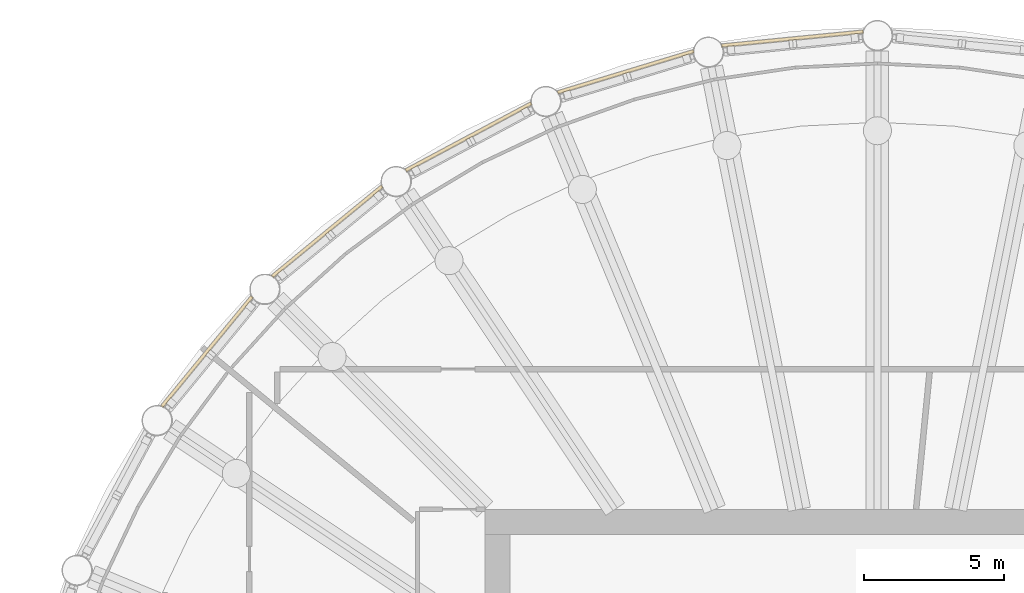
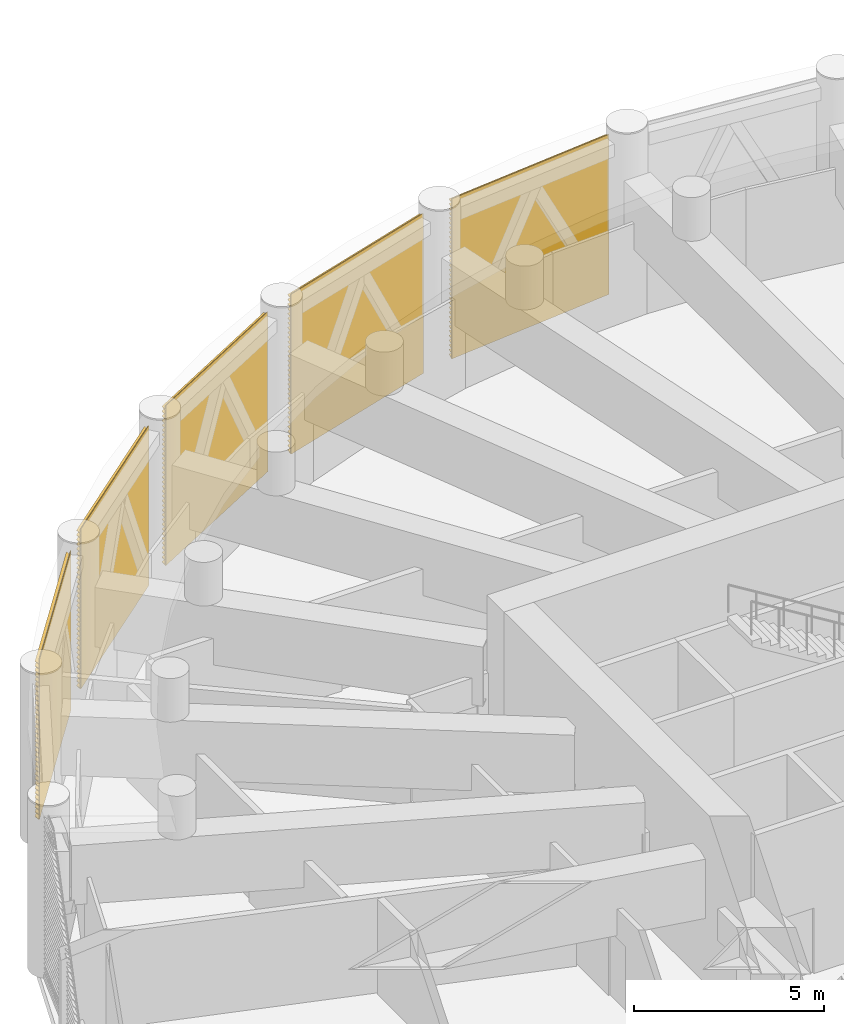
# One storey, part 21 of 23: 5 shading devices, 5 elements without a shape of their own.
"""IFC4 building model written with IfcOpenShell, lengths in metres."""

import ifcopenshell
import ifcopenshell.guid

model = None  # the IFC model being written
_history = None  # IfcOwnerHistory: only IFC2X3 demands one
_inside = {}  # id of a spatial element -> (the spatial element, [elements in it])
_under = {}  # id of a project, library or spatial element -> (it, [spatial elements below it])
_declared = {}  # id of a project -> (the project, [libraries it declares])
_typed = {}  # id of a type object -> (the type object, [elements of that type])
_made_of = {}  # id of a material, layer set ... -> (it, [elements and type objects made of it])


def new_model(schema):
    """Start an empty IFC model of exactly this schema.

    Asked for "IFC4X3", IfcOpenShell would pick the latest addendum, in which some entities
    have other attributes; the version numbers below select the first issue.
    IFC2X3 requires an IfcOwnerHistory on every rooted entity: one is made here for all.
    """
    global model, _history
    if schema == "IFC4X3":
        model = ifcopenshell.file(schema_version=(4, 3, 0, 0))
    else:
        model = ifcopenshell.file(schema=schema)
    _inside.clear()
    _under.clear()
    _declared.clear()
    _typed.clear()
    _made_of.clear()
    _history = None
    if model.schema == "IFC2X3":
        org = make("IfcOrganization", Name="unknown")
        user = make(
            "IfcPersonAndOrganization",
            ThePerson=make("IfcPerson", FamilyName="unknown"),
            TheOrganization=org,
        )
        app = make(
            "IfcApplication",
            ApplicationDeveloper=org,
            Version="unknown",
            ApplicationFullName="unknown",
            ApplicationIdentifier="unknown",
        )
        _history = make(
            "IfcOwnerHistory",
            OwningUser=user,
            OwningApplication=app,
            ChangeAction="ADDED",
            CreationDate=0,
        )
    return model


def make(cls, **values):
    """One entity of the class cls with the attributes given. An attribute that is None is left unset."""
    return model.create_entity(
        cls, **{name: value for name, value in values.items() if value is not None}
    )


def rooted(cls, **values):
    """An entity with a GlobalId (a new one), such as an element, a storey or a relation."""
    return make(cls, GlobalId=ifcopenshell.guid.new(), OwnerHistory=_history, **values)


def si_unit(unit_type, name, prefix=None):
    """IfcSIUnit, for example si_unit("LENGTHUNIT", "METRE", prefix="MILLI")."""
    return make("IfcSIUnit", UnitType=unit_type, Prefix=prefix, Name=name)


def assignment(units):
    """IfcUnitAssignment: the units of a project."""
    return None if units is None else make("IfcUnitAssignment", Units=units)


def point(xyz):
    """IfcCartesianPoint."""
    return None if xyz is None else make("IfcCartesianPoint", Coordinates=xyz)


def direction(xyz):
    """IfcDirection."""
    return None if xyz is None else make("IfcDirection", DirectionRatios=xyz)


def frame(location, z_axis=None, x_axis=None):
    """IfcAxis2Placement3D, a coordinate frame: its origin and axes. An axis left out is left unset."""
    return make(
        "IfcAxis2Placement3D",
        Location=point(location),
        Axis=direction(z_axis),
        RefDirection=direction(x_axis),
    )


def origin():
    """The frame at (0, 0, 0) with its axes left unset."""
    return frame((0.0, 0.0, 0.0))


def place(relative_to, where):
    """IfcLocalPlacement: puts the frame where relative to a parent placement (None: the world)."""
    return make(
        "IfcLocalPlacement", PlacementRelTo=relative_to, RelativePlacement=where
    )


def context(
    kind, dimensions, precision=None, world=None, true_north=None, identifier=None
):
    """IfcGeometricRepresentationContext, for example the 3D "Model" context."""
    return make(
        "IfcGeometricRepresentationContext",
        ContextIdentifier=identifier,
        ContextType=kind,
        CoordinateSpaceDimension=dimensions,
        Precision=precision,
        WorldCoordinateSystem=world,
        TrueNorth=true_north,
    )


def subcontext(parent, identifier, kind, view, scale=None):
    """IfcGeometricRepresentationSubContext, for example "Body" below "Model"."""
    return make(
        "IfcGeometricRepresentationSubContext",
        ContextIdentifier=identifier,
        ContextType=kind,
        ParentContext=parent,
        TargetScale=scale,
        TargetView=view,
    )


def project(units=None, contexts=None):
    """IfcProject with its units and contexts."""
    return rooted(
        "IfcProject",
        Name="project",
        RepresentationContexts=contexts,
        UnitsInContext=assignment(units),
    )


def spatial(cls, under=None, at=None, **own):
    """A site, building, storey or space (cls), placed at a placement, below another one or the project."""
    s = rooted(cls, ObjectPlacement=at, **own)
    if under is not None:
        _under.setdefault(under.id(), (under, []))[1].append(s)
    return s


def polyline(points):
    """IfcPolyline through the points."""
    return make("IfcPolyline", Points=[point(p) for p in points])


def outline(outer, holes=None, kind="AREA"):
    """IfcArbitraryClosedProfileDef: a profile drawn as a closed curve; with holes, ...WithVoids."""
    if holes is None:
        return make("IfcArbitraryClosedProfileDef", ProfileType=kind, OuterCurve=outer)
    return make(
        "IfcArbitraryProfileDefWithVoids",
        ProfileType=kind,
        OuterCurve=outer,
        InnerCurves=holes,
    )


def extrude(swept, where, along, depth):
    """IfcExtrudedAreaSolid: the profile swept, set in the frame where, extruded along a direction by depth."""
    return make(
        "IfcExtrudedAreaSolid",
        SweptArea=swept,
        Position=where,
        ExtrudedDirection=direction(along),
        Depth=depth,
    )


def shape(context_of_items, identifier, shape_type, items):
    """IfcShapeRepresentation: the items that make up one representation, for example the "Body"."""
    return make(
        "IfcShapeRepresentation",
        ContextOfItems=context_of_items,
        RepresentationIdentifier=identifier,
        RepresentationType=shape_type,
        Items=items,
    )


def material(Name=None, Category=None):
    """IfcMaterial."""
    return make("IfcMaterial", Name=Name, Category=Category)


def material_profile(
    of_material, cross_section, Name=None, Category=None, Priority=None
):
    """IfcMaterialProfile: a cross section and its material."""
    return make(
        "IfcMaterialProfile",
        Name=Name,
        Material=of_material,
        Profile=cross_section,
        Priority=Priority,
        Category=Category,
    )


def profile_set(profiles, Name=None, composite=None):
    """IfcMaterialProfileSet."""
    return make(
        "IfcMaterialProfileSet",
        Name=Name,
        MaterialProfiles=profiles,
        CompositeProfile=composite,
    )


def made_of(thing, what):
    """Note that an element or type object is made of a material, layer set ...; save() writes the relation."""
    if what is not None:
        _made_of.setdefault(what.id(), (what, []))[1].append(thing)
    return thing


def type_object(cls, material=None, **own):
    """A type object (cls), such as IfcWallType, which elements share."""
    return made_of(rooted(cls, **own), material)


def element(
    cls,
    number,
    at=None,
    inside=None,
    cuts=None,
    type_object=None,
    material=None,
    context=None,
    identifier="Body",
    shape_type=None,
    held_by="IfcProductDefinitionShape",
    body=None,
    shapes=None,
    **own,
):
    """One element of the class cls, such as IfcWall. Its Tag is "e" and its number.

    at: its placement. inside: the storey or other place that contains it. cuts: it is an
    opening in that element (IfcRelVoidsElement). A single representation is given by context,
    identifier, shape_type and body (its items); several are given by shapes. held_by: the class
    of the entity that holds the representations. save() writes the other relations.
    """
    e = rooted(cls, Tag="e%d" % number, ObjectPlacement=at, **own)
    if body is not None:
        shapes = [shape(context, identifier, shape_type, body)]
    if shapes is not None:
        e.Representation = make(held_by, Representations=shapes)
    if inside is not None:
        _inside.setdefault(inside.id(), (inside, []))[1].append(e)
    if cuts is not None:
        rooted(
            "IfcRelVoidsElement", RelatingBuildingElement=cuts, RelatedOpeningElement=e
        )
    if type_object is not None:
        _typed.setdefault(type_object.id(), (type_object, []))[1].append(e)
    return made_of(e, material)


def aggregate(whole, parts):
    """IfcRelAggregates: a whole, such as a stair, and the parts it consists of."""
    return rooted("IfcRelAggregates", RelatingObject=whole, RelatedObjects=parts)


def save(model, path):
    """Write the relations noted so far, then the file.

    IfcRelAggregates (storeys below a building ...), IfcRelContainedInSpatialStructure (elements
    in a storey), IfcRelDefinesByType, IfcRelAssociatesMaterial and IfcRelDeclares: one each for
    every whole, place, type object, material and project.
    """
    for whole, parts in _under.values():
        aggregate(whole, parts)
    for where, things in _inside.values():
        rooted(
            "IfcRelContainedInSpatialStructure",
            RelatedElements=things,
            RelatingStructure=where,
        )
    for kind, things in _typed.values():
        rooted("IfcRelDefinesByType", RelatedObjects=things, RelatingType=kind)
    for what, things in _made_of.values():
        rooted("IfcRelAssociatesMaterial", RelatedObjects=things, RelatingMaterial=what)
    for by, libraries in _declared.values():
        rooted("IfcRelDeclares", RelatingContext=by, RelatedDefinitions=libraries)
    model.write(path)


model = new_model("IFC4")

# Units and contexts
model_context = context("Model", 3, precision=1e-05, world=origin(), true_north=direction((0.0, 1.0)))
body_context = subcontext(model_context, "Body", "Model", "MODEL_VIEW")
ifc_project = project(units=[si_unit("LENGTHUNIT", "METRE"), si_unit("AREAUNIT", "SQUARE_METRE"), si_unit("VOLUMEUNIT", "CUBIC_METRE"), si_unit("PLANEANGLEUNIT", "RADIAN"), si_unit("MASSUNIT", "GRAM", prefix="KILO")], contexts=[model_context])

# Site, building, storey
site_placement = place(None, origin())
site = spatial("IfcSite", under=ifc_project, at=site_placement, CompositionType="ELEMENT")
building_placement = place(site_placement, origin())
building = spatial("IfcBuilding", under=site, at=building_placement, Name="Corvane Civic Tower", CompositionType="ELEMENT")
storey_placement = place(building_placement, frame((0.0, 0.0, 196.0)))
storey = spatial("IfcBuildingStorey", under=building, at=storey_placement, Name="L46", CompositionType="ELEMENT", Elevation=196.0)

# Curtain wall, shading device
ifc_material_1 = material(Name="Anodised aluminium bronze", Category="aluminium")
curtain_wall_type = type_object("IfcCurtainWallType", Name="TOWER CW-LV LOUVRE SCREEN WALL", PredefinedType="NOTDEFINED", material=ifc_material_1)
curtain_wall_1_placement = place(storey_placement, origin())
curtain_wall_1 = element("IfcCurtainWall", 1, at=curtain_wall_1_placement, inside=storey, type_object=curtain_wall_type, Name="Louvre screen wall CW-LV L46 bay 28", PredefinedType="NOTDEFINED")
ifc_material_2 = material(Name="Anodised aluminium bronze", Category="aluminium")
ifc_material_profile = material_profile(ifc_material_2, outline(polyline([(-0.06005859375, -2.56494140625), (-0.0400390625, -2.56494140625), (0.06005859375, -2.492919921875), (0.06005859375, -2.472900390625), (-0.0400390625, -2.544921875), (-0.0400390625, -2.4140625), (0.06005859375, -2.342041015625), (0.06005859375, -2.322021484375), (-0.0400390625, -2.39404296875), (-0.0400390625, -2.26318359375), (0.06005859375, -2.191162109375), (0.06005859375, -2.171142578125), (-0.0400390625, -2.2431640625), (-0.0400390625, -2.1123046875), (0.06005859375, -2.040283203125), (0.06005859375, -2.0205078125), (-0.0400390625, -2.09228515625), (-0.0400390625, -1.96142578125), (0.06005859375, -1.889404296875), (0.06005859375, -1.869384765625), (-0.0400390625, -1.94140625), (-0.0400390625, -1.810546875), (0.06005859375, -1.738525390625), (0.06005859375, -1.718505859375), (-0.0400390625, -1.79052734375), (-0.0400390625, -1.65966796875), (0.06005859375, -1.587646484375), (0.06005859375, -1.567626953125), (-0.0400390625, -1.6396484375), (-0.0400390625, -1.5087890625), (0.06005859375, -1.436767578125), (0.06005859375, -1.416748046875), (-0.0400390625, -1.48876953125), (-0.0400390625, -1.35791015625), (0.06005859375, -1.285888671875), (0.06005859375, -1.265869140625), (-0.0400390625, -1.337890625), (-0.0400390625, -1.20703125), (0.06005859375, -1.135009765625), (0.06005859375, -1.114990234375), (-0.0400390625, -1.18701171875), (-0.0400390625, -1.05615234375), (0.06005859375, -0.984130859375), (0.06005859375, -0.964111328125), (-0.0400390625, -1.0361328125), (-0.0400390625, -0.9052734375), (0.06005859375, -0.833251953125), (0.06005859375, -0.813232421875), (-0.0400390625, -0.88525390625), (-0.0400390625, -0.75439453125), (0.06005859375, -0.682373046875), (0.06005859375, -0.662353515625), (-0.0400390625, -0.734375), (-0.0400390625, -0.603515625), (0.06005859375, -0.531494140625), (0.06005859375, -0.511474609375), (-0.0400390625, -0.58349609375), (-0.0400390625, -0.45263671875), (0.06005859375, -0.380615234375), (0.06005859375, -0.360595703125), (-0.0400390625, -0.4326171875), (-0.0400390625, -0.3017578125), (0.06005859375, -0.229736328125), (0.06005859375, -0.209716796875), (-0.0400390625, -0.28173828125), (-0.0400390625, -0.15087890625), (0.06005859375, -0.078857421875), (0.06005859375, -0.058837890625), (-0.0400390625, -0.130859375), (-0.0400390625, 0.0), (0.06005859375, 0.072021484375), (0.06005859375, 0.092041015625), (-0.0400390625, 0.02001953125), (-0.0400390625, 0.15087890625), (0.06005859375, 0.222900390625), (0.06005859375, 0.242919921875), (-0.0400390625, 0.1708984375), (-0.0400390625, 0.3017578125), (0.06005859375, 0.373779296875), (0.06005859375, 0.393798828125), (-0.0400390625, 0.32177734375), (-0.0400390625, 0.45263671875), (0.06005859375, 0.524658203125), (0.06005859375, 0.544677734375), (-0.0400390625, 0.47265625), (-0.0400390625, 0.603515625), (0.06005859375, 0.675537109375), (0.06005859375, 0.695556640625), (-0.0400390625, 0.62353515625), (-0.0400390625, 0.75439453125), (0.06005859375, 0.826416015625), (0.06005859375, 0.846435546875), (-0.0400390625, 0.7744140625), (-0.0400390625, 0.9052734375), (0.06005859375, 0.977294921875), (0.06005859375, 0.997314453125), (-0.0400390625, 0.92529296875), (-0.0400390625, 1.05615234375), (0.06005859375, 1.128173828125), (0.06005859375, 1.148193359375), (-0.0400390625, 1.076171875), (-0.0400390625, 1.20703125), (0.06005859375, 1.279052734375), (0.06005859375, 1.299072265625), (-0.0400390625, 1.22705078125), (-0.0400390625, 1.35791015625), (0.06005859375, 1.429931640625), (0.06005859375, 1.449951171875), (-0.0400390625, 1.3779296875), (-0.0400390625, 1.5087890625), (0.06005859375, 1.580810546875), (0.06005859375, 1.600830078125), (-0.0400390625, 1.52880859375), (-0.0400390625, 1.65966796875), (0.06005859375, 1.731689453125), (0.06005859375, 1.751708984375), (-0.0400390625, 1.6796875), (-0.0400390625, 1.810546875), (0.06005859375, 1.882568359375), (0.06005859375, 1.902587890625), (-0.0400390625, 1.83056640625), (-0.0400390625, 1.96142578125), (0.06005859375, 2.033447265625), (0.06005859375, 2.053466796875), (-0.0400390625, 1.9814453125), (-0.0400390625, 2.1123046875), (0.06005859375, 2.184326171875), (0.06005859375, 2.204345703125), (-0.0400390625, 2.13232421875), (-0.0400390625, 2.26318359375), (0.06005859375, 2.335205078125), (0.06005859375, 2.355224609375), (-0.0400390625, 2.283203125), (-0.0400390625, 2.4140625), (0.06005859375, 2.486083984375), (0.06005859375, 2.506103515625), (-0.0400390625, 2.43408203125), (-0.0400390625, 2.56494140625), (-0.06005859375, 2.56494140625), (-0.06005859375, -2.56494140625)])), Name="TOWER LOUVRE BANK 5130 BRONZE")
ifc_profile_set = profile_set([ifc_material_profile], Name="Anodised aluminium bronze")
shading_device_type = type_object("IfcShadingDeviceType", Name="TOWER LOUVRE BANK 5130 BRONZE", PredefinedType="USERDEFINED", material=ifc_profile_set)
shading_device_1_placement = place(storey_placement, frame((-25.519775390625, 17.65966796875, 2.68505859375), z_axis=(0.634386611146, 0.773015929719, 0.0), x_axis=(-0.773015929719, 0.634386611146, 0.0)))
shading_device_1 = element("IfcShadingDevice", 2, at=shading_device_1_placement, type_object=shading_device_type, Name="Louvre bank L46 28.1", ObjectType="LOUVRE", PredefinedType="USERDEFINED", context=body_context, shape_type="SweptSolid", body=[
    extrude(outline(polyline([(-0.06005859375, -2.56494140625), (-0.0400390625, -2.56494140625), (0.06005859375, -2.492919921875), (0.06005859375, -2.472900390625), (-0.0400390625, -2.544921875), (-0.0400390625, -2.4140625), (0.06005859375, -2.342041015625), (0.06005859375, -2.322021484375), (-0.0400390625, -2.39404296875), (-0.0400390625, -2.26318359375), (0.06005859375, -2.191162109375), (0.06005859375, -2.171142578125), (-0.0400390625, -2.2431640625), (-0.0400390625, -2.1123046875), (0.06005859375, -2.040283203125), (0.06005859375, -2.0205078125), (-0.0400390625, -2.09228515625), (-0.0400390625, -1.96142578125), (0.06005859375, -1.889404296875), (0.06005859375, -1.869384765625), (-0.0400390625, -1.94140625), (-0.0400390625, -1.810546875), (0.06005859375, -1.738525390625), (0.06005859375, -1.718505859375), (-0.0400390625, -1.79052734375), (-0.0400390625, -1.65966796875), (0.06005859375, -1.587646484375), (0.06005859375, -1.567626953125), (-0.0400390625, -1.6396484375), (-0.0400390625, -1.5087890625), (0.06005859375, -1.436767578125), (0.06005859375, -1.416748046875), (-0.0400390625, -1.48876953125), (-0.0400390625, -1.35791015625), (0.06005859375, -1.285888671875), (0.06005859375, -1.265869140625), (-0.0400390625, -1.337890625), (-0.0400390625, -1.20703125), (0.06005859375, -1.135009765625), (0.06005859375, -1.114990234375), (-0.0400390625, -1.18701171875), (-0.0400390625, -1.05615234375), (0.06005859375, -0.984130859375), (0.06005859375, -0.964111328125), (-0.0400390625, -1.0361328125), (-0.0400390625, -0.9052734375), (0.06005859375, -0.833251953125), (0.06005859375, -0.813232421875), (-0.0400390625, -0.88525390625), (-0.0400390625, -0.75439453125), (0.06005859375, -0.682373046875), (0.06005859375, -0.662353515625), (-0.0400390625, -0.734375), (-0.0400390625, -0.603515625), (0.06005859375, -0.531494140625), (0.06005859375, -0.511474609375), (-0.0400390625, -0.58349609375), (-0.0400390625, -0.45263671875), (0.06005859375, -0.380615234375), (0.06005859375, -0.360595703125), (-0.0400390625, -0.4326171875), (-0.0400390625, -0.3017578125), (0.06005859375, -0.229736328125), (0.06005859375, -0.209716796875), (-0.0400390625, -0.28173828125), (-0.0400390625, -0.15087890625), (0.06005859375, -0.078857421875), (0.06005859375, -0.058837890625), (-0.0400390625, -0.130859375), (-0.0400390625, 0.0), (0.06005859375, 0.072021484375), (0.06005859375, 0.092041015625), (-0.0400390625, 0.02001953125), (-0.0400390625, 0.15087890625), (0.06005859375, 0.222900390625), (0.06005859375, 0.242919921875), (-0.0400390625, 0.1708984375), (-0.0400390625, 0.3017578125), (0.06005859375, 0.373779296875), (0.06005859375, 0.393798828125), (-0.0400390625, 0.32177734375), (-0.0400390625, 0.45263671875), (0.06005859375, 0.524658203125), (0.06005859375, 0.544677734375), (-0.0400390625, 0.47265625), (-0.0400390625, 0.603515625), (0.06005859375, 0.675537109375), (0.06005859375, 0.695556640625), (-0.0400390625, 0.62353515625), (-0.0400390625, 0.75439453125), (0.06005859375, 0.826416015625), (0.06005859375, 0.846435546875), (-0.0400390625, 0.7744140625), (-0.0400390625, 0.9052734375), (0.06005859375, 0.977294921875), (0.06005859375, 0.997314453125), (-0.0400390625, 0.92529296875), (-0.0400390625, 1.05615234375), (0.06005859375, 1.128173828125), (0.06005859375, 1.148193359375), (-0.0400390625, 1.076171875), (-0.0400390625, 1.20703125), (0.06005859375, 1.279052734375), (0.06005859375, 1.299072265625), (-0.0400390625, 1.22705078125), (-0.0400390625, 1.35791015625), (0.06005859375, 1.429931640625), (0.06005859375, 1.449951171875), (-0.0400390625, 1.3779296875), (-0.0400390625, 1.5087890625), (0.06005859375, 1.580810546875), (0.06005859375, 1.600830078125), (-0.0400390625, 1.52880859375), (-0.0400390625, 1.65966796875), (0.06005859375, 1.731689453125), (0.06005859375, 1.751708984375), (-0.0400390625, 1.6796875), (-0.0400390625, 1.810546875), (0.06005859375, 1.882568359375), (0.06005859375, 1.902587890625), (-0.0400390625, 1.83056640625), (-0.0400390625, 1.96142578125), (0.06005859375, 2.033447265625), (0.06005859375, 2.053466796875), (-0.0400390625, 1.9814453125), (-0.0400390625, 2.1123046875), (0.06005859375, 2.184326171875), (0.06005859375, 2.204345703125), (-0.0400390625, 2.13232421875), (-0.0400390625, 2.26318359375), (0.06005859375, 2.335205078125), (0.06005859375, 2.355224609375), (-0.0400390625, 2.283203125), (-0.0400390625, 2.4140625), (0.06005859375, 2.486083984375), (0.06005859375, 2.506103515625), (-0.0400390625, 2.43408203125), (-0.0400390625, 2.56494140625), (-0.06005859375, 2.56494140625), (-0.06005859375, -2.56494140625)])), origin(), (0.0, 0.0, 1.0), 5.0771484375),
])
aggregate(curtain_wall_1, [shading_device_1])

curtain_wall_2_placement = place(storey_placement, origin())
curtain_wall_2 = element("IfcCurtainWall", 3, at=curtain_wall_2_placement, inside=storey, type_object=curtain_wall_type, Name="Louvre screen wall CW-LV L46 bay 29", PredefinedType="NOTDEFINED")
shading_device_2_placement = place(storey_placement, frame((-21.58447265625, 22.298828125, 2.68505859375), z_axis=(0.773015929719, 0.634386611146, 0.0), x_axis=(-0.634386611146, 0.773015929719, 0.0)))
shading_device_2 = element("IfcShadingDevice", 4, at=shading_device_2_placement, type_object=shading_device_type, Name="Louvre bank L46 29.1", ObjectType="LOUVRE", PredefinedType="USERDEFINED", context=body_context, shape_type="SweptSolid", body=[
    extrude(outline(polyline([(-0.06005859375, -2.56494140625), (-0.0400390625, -2.56494140625), (0.06005859375, -2.492919921875), (0.06005859375, -2.472900390625), (-0.0400390625, -2.544921875), (-0.0400390625, -2.4140625), (0.06005859375, -2.342041015625), (0.06005859375, -2.322021484375), (-0.0400390625, -2.39404296875), (-0.0400390625, -2.26318359375), (0.06005859375, -2.191162109375), (0.06005859375, -2.171142578125), (-0.0400390625, -2.2431640625), (-0.0400390625, -2.1123046875), (0.06005859375, -2.040283203125), (0.06005859375, -2.0205078125), (-0.0400390625, -2.09228515625), (-0.0400390625, -1.96142578125), (0.06005859375, -1.889404296875), (0.06005859375, -1.869384765625), (-0.0400390625, -1.94140625), (-0.0400390625, -1.810546875), (0.06005859375, -1.738525390625), (0.06005859375, -1.718505859375), (-0.0400390625, -1.79052734375), (-0.0400390625, -1.65966796875), (0.06005859375, -1.587646484375), (0.06005859375, -1.567626953125), (-0.0400390625, -1.6396484375), (-0.0400390625, -1.5087890625), (0.06005859375, -1.436767578125), (0.06005859375, -1.416748046875), (-0.0400390625, -1.48876953125), (-0.0400390625, -1.35791015625), (0.06005859375, -1.285888671875), (0.06005859375, -1.265869140625), (-0.0400390625, -1.337890625), (-0.0400390625, -1.20703125), (0.06005859375, -1.135009765625), (0.06005859375, -1.114990234375), (-0.0400390625, -1.18701171875), (-0.0400390625, -1.05615234375), (0.06005859375, -0.984130859375), (0.06005859375, -0.964111328125), (-0.0400390625, -1.0361328125), (-0.0400390625, -0.9052734375), (0.06005859375, -0.833251953125), (0.06005859375, -0.813232421875), (-0.0400390625, -0.88525390625), (-0.0400390625, -0.75439453125), (0.06005859375, -0.682373046875), (0.06005859375, -0.662353515625), (-0.0400390625, -0.734375), (-0.0400390625, -0.603515625), (0.06005859375, -0.531494140625), (0.06005859375, -0.511474609375), (-0.0400390625, -0.58349609375), (-0.0400390625, -0.45263671875), (0.06005859375, -0.380615234375), (0.06005859375, -0.360595703125), (-0.0400390625, -0.4326171875), (-0.0400390625, -0.3017578125), (0.06005859375, -0.229736328125), (0.06005859375, -0.209716796875), (-0.0400390625, -0.28173828125), (-0.0400390625, -0.15087890625), (0.06005859375, -0.078857421875), (0.06005859375, -0.058837890625), (-0.0400390625, -0.130859375), (-0.0400390625, 0.0), (0.06005859375, 0.072021484375), (0.06005859375, 0.092041015625), (-0.0400390625, 0.02001953125), (-0.0400390625, 0.15087890625), (0.06005859375, 0.222900390625), (0.06005859375, 0.242919921875), (-0.0400390625, 0.1708984375), (-0.0400390625, 0.3017578125), (0.06005859375, 0.373779296875), (0.06005859375, 0.393798828125), (-0.0400390625, 0.32177734375), (-0.0400390625, 0.45263671875), (0.06005859375, 0.524658203125), (0.06005859375, 0.544677734375), (-0.0400390625, 0.47265625), (-0.0400390625, 0.603515625), (0.06005859375, 0.675537109375), (0.06005859375, 0.695556640625), (-0.0400390625, 0.62353515625), (-0.0400390625, 0.75439453125), (0.06005859375, 0.826416015625), (0.06005859375, 0.846435546875), (-0.0400390625, 0.7744140625), (-0.0400390625, 0.9052734375), (0.06005859375, 0.977294921875), (0.06005859375, 0.997314453125), (-0.0400390625, 0.92529296875), (-0.0400390625, 1.05615234375), (0.06005859375, 1.128173828125), (0.06005859375, 1.148193359375), (-0.0400390625, 1.076171875), (-0.0400390625, 1.20703125), (0.06005859375, 1.279052734375), (0.06005859375, 1.299072265625), (-0.0400390625, 1.22705078125), (-0.0400390625, 1.35791015625), (0.06005859375, 1.429931640625), (0.06005859375, 1.449951171875), (-0.0400390625, 1.3779296875), (-0.0400390625, 1.5087890625), (0.06005859375, 1.580810546875), (0.06005859375, 1.600830078125), (-0.0400390625, 1.52880859375), (-0.0400390625, 1.65966796875), (0.06005859375, 1.731689453125), (0.06005859375, 1.751708984375), (-0.0400390625, 1.6796875), (-0.0400390625, 1.810546875), (0.06005859375, 1.882568359375), (0.06005859375, 1.902587890625), (-0.0400390625, 1.83056640625), (-0.0400390625, 1.96142578125), (0.06005859375, 2.033447265625), (0.06005859375, 2.053466796875), (-0.0400390625, 1.9814453125), (-0.0400390625, 2.1123046875), (0.06005859375, 2.184326171875), (0.06005859375, 2.204345703125), (-0.0400390625, 2.13232421875), (-0.0400390625, 2.26318359375), (0.06005859375, 2.335205078125), (0.06005859375, 2.355224609375), (-0.0400390625, 2.283203125), (-0.0400390625, 2.4140625), (0.06005859375, 2.486083984375), (0.06005859375, 2.506103515625), (-0.0400390625, 2.43408203125), (-0.0400390625, 2.56494140625), (-0.06005859375, 2.56494140625), (-0.06005859375, -2.56494140625)])), origin(), (0.0, 0.0, 1.0), 5.0771484375),
])
aggregate(curtain_wall_2, [shading_device_2])

curtain_wall_3_placement = place(storey_placement, origin())
curtain_wall_3 = element("IfcCurtainWall", 5, at=curtain_wall_3_placement, inside=storey, type_object=curtain_wall_type, Name="Louvre screen wall CW-LV L46 bay 30", PredefinedType="NOTDEFINED")
shading_device_3_placement = place(storey_placement, frame((-16.819580078125, 26.081298828125, 2.68505859375), z_axis=(0.881921329426, 0.471396615074, 0.0), x_axis=(-0.471396615074, 0.881921329426, 0.0)))
shading_device_3 = element("IfcShadingDevice", 6, at=shading_device_3_placement, type_object=shading_device_type, Name="Louvre bank L46 30.1", ObjectType="LOUVRE", PredefinedType="USERDEFINED", context=body_context, shape_type="SweptSolid", body=[
    extrude(outline(polyline([(-0.06005859375, -2.56494140625), (-0.0400390625, -2.56494140625), (0.06005859375, -2.492919921875), (0.06005859375, -2.472900390625), (-0.0400390625, -2.544921875), (-0.0400390625, -2.4140625), (0.06005859375, -2.342041015625), (0.06005859375, -2.322021484375), (-0.0400390625, -2.39404296875), (-0.0400390625, -2.26318359375), (0.06005859375, -2.191162109375), (0.06005859375, -2.171142578125), (-0.0400390625, -2.2431640625), (-0.0400390625, -2.1123046875), (0.06005859375, -2.040283203125), (0.06005859375, -2.0205078125), (-0.0400390625, -2.09228515625), (-0.0400390625, -1.96142578125), (0.06005859375, -1.889404296875), (0.06005859375, -1.869384765625), (-0.0400390625, -1.94140625), (-0.0400390625, -1.810546875), (0.06005859375, -1.738525390625), (0.06005859375, -1.718505859375), (-0.0400390625, -1.79052734375), (-0.0400390625, -1.65966796875), (0.06005859375, -1.587646484375), (0.06005859375, -1.567626953125), (-0.0400390625, -1.6396484375), (-0.0400390625, -1.5087890625), (0.06005859375, -1.436767578125), (0.06005859375, -1.416748046875), (-0.0400390625, -1.48876953125), (-0.0400390625, -1.35791015625), (0.06005859375, -1.285888671875), (0.06005859375, -1.265869140625), (-0.0400390625, -1.337890625), (-0.0400390625, -1.20703125), (0.06005859375, -1.135009765625), (0.06005859375, -1.114990234375), (-0.0400390625, -1.18701171875), (-0.0400390625, -1.05615234375), (0.06005859375, -0.984130859375), (0.06005859375, -0.964111328125), (-0.0400390625, -1.0361328125), (-0.0400390625, -0.9052734375), (0.06005859375, -0.833251953125), (0.06005859375, -0.813232421875), (-0.0400390625, -0.88525390625), (-0.0400390625, -0.75439453125), (0.06005859375, -0.682373046875), (0.06005859375, -0.662353515625), (-0.0400390625, -0.734375), (-0.0400390625, -0.603515625), (0.06005859375, -0.531494140625), (0.06005859375, -0.511474609375), (-0.0400390625, -0.58349609375), (-0.0400390625, -0.45263671875), (0.06005859375, -0.380615234375), (0.06005859375, -0.360595703125), (-0.0400390625, -0.4326171875), (-0.0400390625, -0.3017578125), (0.06005859375, -0.229736328125), (0.06005859375, -0.209716796875), (-0.0400390625, -0.28173828125), (-0.0400390625, -0.15087890625), (0.06005859375, -0.078857421875), (0.06005859375, -0.058837890625), (-0.0400390625, -0.130859375), (-0.0400390625, 0.0), (0.06005859375, 0.072021484375), (0.06005859375, 0.092041015625), (-0.0400390625, 0.02001953125), (-0.0400390625, 0.15087890625), (0.06005859375, 0.222900390625), (0.06005859375, 0.242919921875), (-0.0400390625, 0.1708984375), (-0.0400390625, 0.3017578125), (0.06005859375, 0.373779296875), (0.06005859375, 0.393798828125), (-0.0400390625, 0.32177734375), (-0.0400390625, 0.45263671875), (0.06005859375, 0.524658203125), (0.06005859375, 0.544677734375), (-0.0400390625, 0.47265625), (-0.0400390625, 0.603515625), (0.06005859375, 0.675537109375), (0.06005859375, 0.695556640625), (-0.0400390625, 0.62353515625), (-0.0400390625, 0.75439453125), (0.06005859375, 0.826416015625), (0.06005859375, 0.846435546875), (-0.0400390625, 0.7744140625), (-0.0400390625, 0.9052734375), (0.06005859375, 0.977294921875), (0.06005859375, 0.997314453125), (-0.0400390625, 0.92529296875), (-0.0400390625, 1.05615234375), (0.06005859375, 1.128173828125), (0.06005859375, 1.148193359375), (-0.0400390625, 1.076171875), (-0.0400390625, 1.20703125), (0.06005859375, 1.279052734375), (0.06005859375, 1.299072265625), (-0.0400390625, 1.22705078125), (-0.0400390625, 1.35791015625), (0.06005859375, 1.429931640625), (0.06005859375, 1.449951171875), (-0.0400390625, 1.3779296875), (-0.0400390625, 1.5087890625), (0.06005859375, 1.580810546875), (0.06005859375, 1.600830078125), (-0.0400390625, 1.52880859375), (-0.0400390625, 1.65966796875), (0.06005859375, 1.731689453125), (0.06005859375, 1.751708984375), (-0.0400390625, 1.6796875), (-0.0400390625, 1.810546875), (0.06005859375, 1.882568359375), (0.06005859375, 1.902587890625), (-0.0400390625, 1.83056640625), (-0.0400390625, 1.96142578125), (0.06005859375, 2.033447265625), (0.06005859375, 2.053466796875), (-0.0400390625, 1.9814453125), (-0.0400390625, 2.1123046875), (0.06005859375, 2.184326171875), (0.06005859375, 2.204345703125), (-0.0400390625, 2.13232421875), (-0.0400390625, 2.26318359375), (0.06005859375, 2.335205078125), (0.06005859375, 2.355224609375), (-0.0400390625, 2.283203125), (-0.0400390625, 2.4140625), (0.06005859375, 2.486083984375), (0.06005859375, 2.506103515625), (-0.0400390625, 2.43408203125), (-0.0400390625, 2.56494140625), (-0.06005859375, 2.56494140625), (-0.06005859375, -2.56494140625)])), origin(), (0.0, 0.0, 1.0), 5.07763671875),
])
aggregate(curtain_wall_3, [shading_device_3])

curtain_wall_4_placement = place(storey_placement, origin())
curtain_wall_4 = element("IfcCurtainWall", 7, at=curtain_wall_4_placement, inside=storey, type_object=curtain_wall_type, Name="Louvre screen wall CW-LV L46 bay 31", PredefinedType="NOTDEFINED")
shading_device_4_placement = place(storey_placement, frame((-11.407958984375, 28.861572265625, 2.68505859375), z_axis=(0.956939031389, 0.290288977061, 0.0), x_axis=(-0.290288977061, 0.956939031389, 0.0)))
shading_device_4 = element("IfcShadingDevice", 8, at=shading_device_4_placement, type_object=shading_device_type, Name="Louvre bank L46 31.1", ObjectType="LOUVRE", PredefinedType="USERDEFINED", context=body_context, shape_type="SweptSolid", body=[
    extrude(outline(polyline([(-0.06005859375, -2.56494140625), (-0.0400390625, -2.56494140625), (0.06005859375, -2.492919921875), (0.06005859375, -2.472900390625), (-0.0400390625, -2.544921875), (-0.0400390625, -2.4140625), (0.06005859375, -2.342041015625), (0.06005859375, -2.322021484375), (-0.0400390625, -2.39404296875), (-0.0400390625, -2.26318359375), (0.06005859375, -2.191162109375), (0.06005859375, -2.171142578125), (-0.0400390625, -2.2431640625), (-0.0400390625, -2.1123046875), (0.06005859375, -2.040283203125), (0.06005859375, -2.0205078125), (-0.0400390625, -2.09228515625), (-0.0400390625, -1.96142578125), (0.06005859375, -1.889404296875), (0.06005859375, -1.869384765625), (-0.0400390625, -1.94140625), (-0.0400390625, -1.810546875), (0.06005859375, -1.738525390625), (0.06005859375, -1.718505859375), (-0.0400390625, -1.79052734375), (-0.0400390625, -1.65966796875), (0.06005859375, -1.587646484375), (0.06005859375, -1.567626953125), (-0.0400390625, -1.6396484375), (-0.0400390625, -1.5087890625), (0.06005859375, -1.436767578125), (0.06005859375, -1.416748046875), (-0.0400390625, -1.48876953125), (-0.0400390625, -1.35791015625), (0.06005859375, -1.285888671875), (0.06005859375, -1.265869140625), (-0.0400390625, -1.337890625), (-0.0400390625, -1.20703125), (0.06005859375, -1.135009765625), (0.06005859375, -1.114990234375), (-0.0400390625, -1.18701171875), (-0.0400390625, -1.05615234375), (0.06005859375, -0.984130859375), (0.06005859375, -0.964111328125), (-0.0400390625, -1.0361328125), (-0.0400390625, -0.9052734375), (0.06005859375, -0.833251953125), (0.06005859375, -0.813232421875), (-0.0400390625, -0.88525390625), (-0.0400390625, -0.75439453125), (0.06005859375, -0.682373046875), (0.06005859375, -0.662353515625), (-0.0400390625, -0.734375), (-0.0400390625, -0.603515625), (0.06005859375, -0.531494140625), (0.06005859375, -0.511474609375), (-0.0400390625, -0.58349609375), (-0.0400390625, -0.45263671875), (0.06005859375, -0.380615234375), (0.06005859375, -0.360595703125), (-0.0400390625, -0.4326171875), (-0.0400390625, -0.3017578125), (0.06005859375, -0.229736328125), (0.06005859375, -0.209716796875), (-0.0400390625, -0.28173828125), (-0.0400390625, -0.15087890625), (0.06005859375, -0.078857421875), (0.06005859375, -0.058837890625), (-0.0400390625, -0.130859375), (-0.0400390625, 0.0), (0.06005859375, 0.072021484375), (0.06005859375, 0.092041015625), (-0.0400390625, 0.02001953125), (-0.0400390625, 0.15087890625), (0.06005859375, 0.222900390625), (0.06005859375, 0.242919921875), (-0.0400390625, 0.1708984375), (-0.0400390625, 0.3017578125), (0.06005859375, 0.373779296875), (0.06005859375, 0.393798828125), (-0.0400390625, 0.32177734375), (-0.0400390625, 0.45263671875), (0.06005859375, 0.524658203125), (0.06005859375, 0.544677734375), (-0.0400390625, 0.47265625), (-0.0400390625, 0.603515625), (0.06005859375, 0.675537109375), (0.06005859375, 0.695556640625), (-0.0400390625, 0.62353515625), (-0.0400390625, 0.75439453125), (0.06005859375, 0.826416015625), (0.06005859375, 0.846435546875), (-0.0400390625, 0.7744140625), (-0.0400390625, 0.9052734375), (0.06005859375, 0.977294921875), (0.06005859375, 0.997314453125), (-0.0400390625, 0.92529296875), (-0.0400390625, 1.05615234375), (0.06005859375, 1.128173828125), (0.06005859375, 1.148193359375), (-0.0400390625, 1.076171875), (-0.0400390625, 1.20703125), (0.06005859375, 1.279052734375), (0.06005859375, 1.299072265625), (-0.0400390625, 1.22705078125), (-0.0400390625, 1.35791015625), (0.06005859375, 1.429931640625), (0.06005859375, 1.449951171875), (-0.0400390625, 1.3779296875), (-0.0400390625, 1.5087890625), (0.06005859375, 1.580810546875), (0.06005859375, 1.600830078125), (-0.0400390625, 1.52880859375), (-0.0400390625, 1.65966796875), (0.06005859375, 1.731689453125), (0.06005859375, 1.751708984375), (-0.0400390625, 1.6796875), (-0.0400390625, 1.810546875), (0.06005859375, 1.882568359375), (0.06005859375, 1.902587890625), (-0.0400390625, 1.83056640625), (-0.0400390625, 1.96142578125), (0.06005859375, 2.033447265625), (0.06005859375, 2.053466796875), (-0.0400390625, 1.9814453125), (-0.0400390625, 2.1123046875), (0.06005859375, 2.184326171875), (0.06005859375, 2.204345703125), (-0.0400390625, 2.13232421875), (-0.0400390625, 2.26318359375), (0.06005859375, 2.335205078125), (0.06005859375, 2.355224609375), (-0.0400390625, 2.283203125), (-0.0400390625, 2.4140625), (0.06005859375, 2.486083984375), (0.06005859375, 2.506103515625), (-0.0400390625, 2.43408203125), (-0.0400390625, 2.56494140625), (-0.06005859375, 2.56494140625), (-0.06005859375, -2.56494140625)])), origin(), (0.0, 0.0, 1.0), 5.077392578125),
])
aggregate(curtain_wall_4, [shading_device_4])

curtain_wall_5_placement = place(storey_placement, origin())
curtain_wall_5 = element("IfcCurtainWall", 9, at=curtain_wall_5_placement, inside=storey, type_object=curtain_wall_type, Name="Louvre screen wall CW-LV L46 bay 32", PredefinedType="NOTDEFINED")
shading_device_5_placement = place(storey_placement, frame((-5.558349609375, 30.53271484375, 2.68505859375), z_axis=(0.995187423416, 0.097989755963, 0.0), x_axis=(-0.097989755963, 0.995187423416, 0.0)))
shading_device_5 = element("IfcShadingDevice", 10, at=shading_device_5_placement, type_object=shading_device_type, Name="Louvre bank L46 32.1", ObjectType="LOUVRE", PredefinedType="USERDEFINED", context=body_context, shape_type="SweptSolid", body=[
    extrude(outline(polyline([(-0.06005859375, -2.56494140625), (-0.0400390625, -2.56494140625), (0.06005859375, -2.492919921875), (0.06005859375, -2.472900390625), (-0.0400390625, -2.544921875), (-0.0400390625, -2.4140625), (0.06005859375, -2.342041015625), (0.06005859375, -2.322021484375), (-0.0400390625, -2.39404296875), (-0.0400390625, -2.26318359375), (0.06005859375, -2.191162109375), (0.06005859375, -2.171142578125), (-0.0400390625, -2.2431640625), (-0.0400390625, -2.1123046875), (0.06005859375, -2.040283203125), (0.06005859375, -2.0205078125), (-0.0400390625, -2.09228515625), (-0.0400390625, -1.96142578125), (0.06005859375, -1.889404296875), (0.06005859375, -1.869384765625), (-0.0400390625, -1.94140625), (-0.0400390625, -1.810546875), (0.06005859375, -1.738525390625), (0.06005859375, -1.718505859375), (-0.0400390625, -1.79052734375), (-0.0400390625, -1.65966796875), (0.06005859375, -1.587646484375), (0.06005859375, -1.567626953125), (-0.0400390625, -1.6396484375), (-0.0400390625, -1.5087890625), (0.06005859375, -1.436767578125), (0.06005859375, -1.416748046875), (-0.0400390625, -1.48876953125), (-0.0400390625, -1.35791015625), (0.06005859375, -1.285888671875), (0.06005859375, -1.265869140625), (-0.0400390625, -1.337890625), (-0.0400390625, -1.20703125), (0.06005859375, -1.135009765625), (0.06005859375, -1.114990234375), (-0.0400390625, -1.18701171875), (-0.0400390625, -1.05615234375), (0.06005859375, -0.984130859375), (0.06005859375, -0.964111328125), (-0.0400390625, -1.0361328125), (-0.0400390625, -0.9052734375), (0.06005859375, -0.833251953125), (0.06005859375, -0.813232421875), (-0.0400390625, -0.88525390625), (-0.0400390625, -0.75439453125), (0.06005859375, -0.682373046875), (0.06005859375, -0.662353515625), (-0.0400390625, -0.734375), (-0.0400390625, -0.603515625), (0.06005859375, -0.531494140625), (0.06005859375, -0.511474609375), (-0.0400390625, -0.58349609375), (-0.0400390625, -0.45263671875), (0.06005859375, -0.380615234375), (0.06005859375, -0.360595703125), (-0.0400390625, -0.4326171875), (-0.0400390625, -0.3017578125), (0.06005859375, -0.229736328125), (0.06005859375, -0.209716796875), (-0.0400390625, -0.28173828125), (-0.0400390625, -0.15087890625), (0.06005859375, -0.078857421875), (0.06005859375, -0.058837890625), (-0.0400390625, -0.130859375), (-0.0400390625, 0.0), (0.06005859375, 0.072021484375), (0.06005859375, 0.092041015625), (-0.0400390625, 0.02001953125), (-0.0400390625, 0.15087890625), (0.06005859375, 0.222900390625), (0.06005859375, 0.242919921875), (-0.0400390625, 0.1708984375), (-0.0400390625, 0.3017578125), (0.06005859375, 0.373779296875), (0.06005859375, 0.393798828125), (-0.0400390625, 0.32177734375), (-0.0400390625, 0.45263671875), (0.06005859375, 0.524658203125), (0.06005859375, 0.544677734375), (-0.0400390625, 0.47265625), (-0.0400390625, 0.603515625), (0.06005859375, 0.675537109375), (0.06005859375, 0.695556640625), (-0.0400390625, 0.62353515625), (-0.0400390625, 0.75439453125), (0.06005859375, 0.826416015625), (0.06005859375, 0.846435546875), (-0.0400390625, 0.7744140625), (-0.0400390625, 0.9052734375), (0.06005859375, 0.977294921875), (0.06005859375, 0.997314453125), (-0.0400390625, 0.92529296875), (-0.0400390625, 1.05615234375), (0.06005859375, 1.128173828125), (0.06005859375, 1.148193359375), (-0.0400390625, 1.076171875), (-0.0400390625, 1.20703125), (0.06005859375, 1.279052734375), (0.06005859375, 1.299072265625), (-0.0400390625, 1.22705078125), (-0.0400390625, 1.35791015625), (0.06005859375, 1.429931640625), (0.06005859375, 1.449951171875), (-0.0400390625, 1.3779296875), (-0.0400390625, 1.5087890625), (0.06005859375, 1.580810546875), (0.06005859375, 1.600830078125), (-0.0400390625, 1.52880859375), (-0.0400390625, 1.65966796875), (0.06005859375, 1.731689453125), (0.06005859375, 1.751708984375), (-0.0400390625, 1.6796875), (-0.0400390625, 1.810546875), (0.06005859375, 1.882568359375), (0.06005859375, 1.902587890625), (-0.0400390625, 1.83056640625), (-0.0400390625, 1.96142578125), (0.06005859375, 2.033447265625), (0.06005859375, 2.053466796875), (-0.0400390625, 1.9814453125), (-0.0400390625, 2.1123046875), (0.06005859375, 2.184326171875), (0.06005859375, 2.204345703125), (-0.0400390625, 2.13232421875), (-0.0400390625, 2.26318359375), (0.06005859375, 2.335205078125), (0.06005859375, 2.355224609375), (-0.0400390625, 2.283203125), (-0.0400390625, 2.4140625), (0.06005859375, 2.486083984375), (0.06005859375, 2.506103515625), (-0.0400390625, 2.43408203125), (-0.0400390625, 2.56494140625), (-0.06005859375, 2.56494140625), (-0.06005859375, -2.56494140625)])), origin(), (0.0, 0.0, 1.0), 5.07763671875),
])
aggregate(curtain_wall_5, [shading_device_5])

save(model, "model.ifc")
